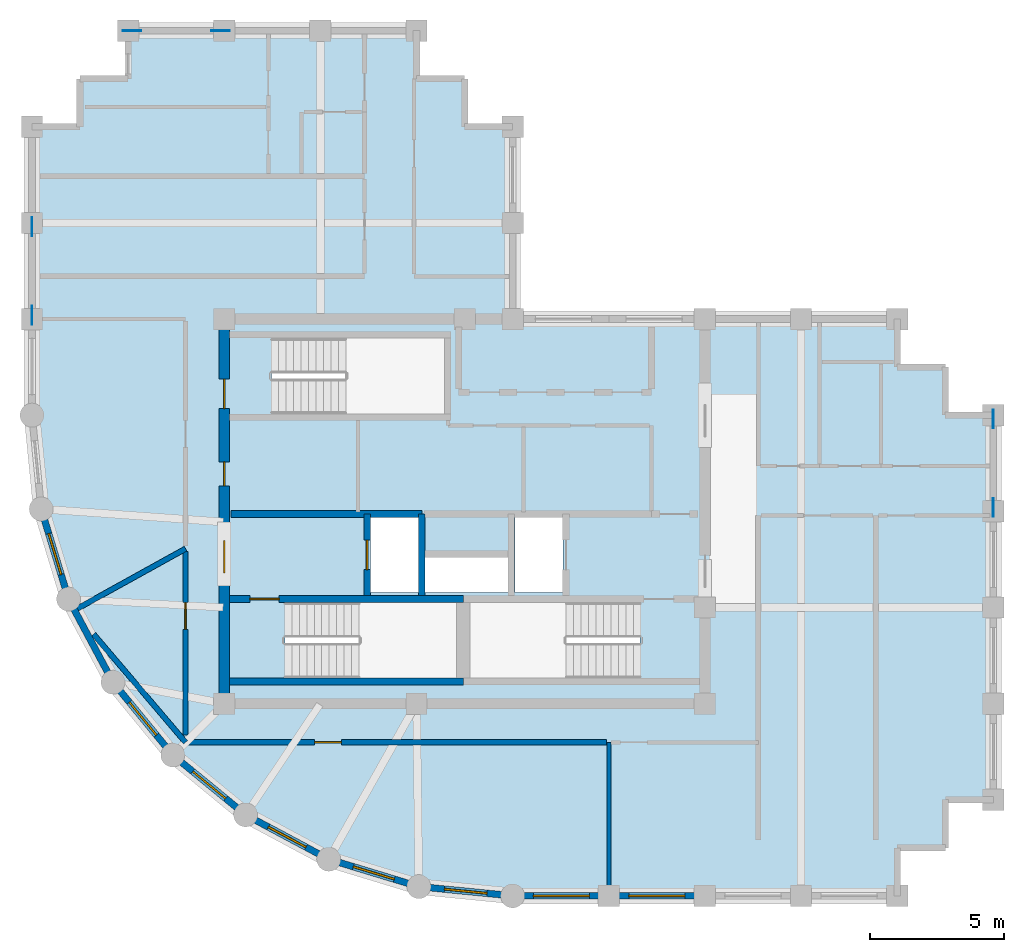
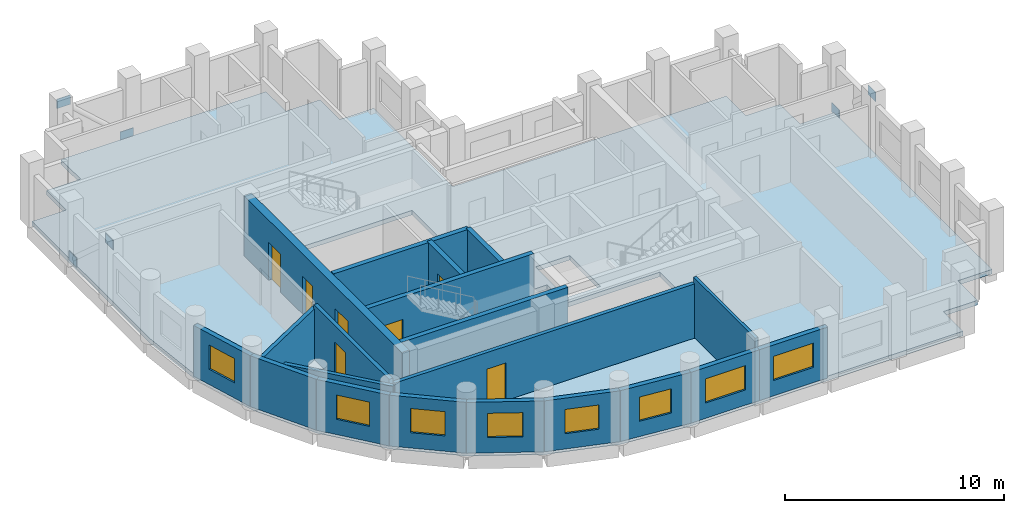
# One storey, part 2 of 6: 20 walls, 8 windows, 7 doors, 6 plates, 1 slab, 15 openings.
"""IFC4 building model written with IfcOpenShell, lengths in metres."""

from ifc_helpers import new_model, si_unit, direction, frame, frame_2d, origin, origin_2d, place, context, subcontext, project, spatial, polyline, rectangle, outline, extrude, material, layer, layer_set, type_object, element, fill, save


model = new_model("IFC4")

# Units and contexts
model_context = context("Model", 3, precision=1e-05, world=origin(), true_north=direction((0.0, 1.0)))
body_context = subcontext(model_context, "Body", "Model", "MODEL_VIEW")
ifc_project = project(units=[si_unit("LENGTHUNIT", "METRE"), si_unit("AREAUNIT", "SQUARE_METRE"), si_unit("VOLUMEUNIT", "CUBIC_METRE"), si_unit("PLANEANGLEUNIT", "RADIAN"), si_unit("MASSUNIT", "GRAM", prefix="KILO")], contexts=[model_context])

# Site, building, storey
site_placement = place(None, origin())
site = spatial("IfcSite", under=ifc_project, at=site_placement, CompositionType="ELEMENT")
building_placement = place(site_placement, origin())
building = spatial("IfcBuilding", under=site, at=building_placement, Name="Solnavia Interchange Tower", CompositionType="ELEMENT")
storey_placement = place(building_placement, frame((0.0, 0.0, 277.39990234375)))
storey = spatial("IfcBuildingStorey", under=building, at=storey_placement, Name="L70", CompositionType="ELEMENT", Elevation=277.39990234375)

# Plates
ifc_material_1 = material(Name="Steel S460", Category="steel")
ifc_layer_1 = layer(ifc_material_1, 0.030029296875)
ifc_layer_set_1 = layer_set([ifc_layer_1], Name="Steel S460")
plate_type = type_object("IfcPlateType", Name="Plate-Gusset-700x520x30", PredefinedType="USERDEFINED", material=ifc_layer_set_1)
for number, where, z_axis, x_axis, name in (
    (1, (7.199951171875, 28.659912109375, -0.079833984375), (0.0, 0.0, 1.0), (0.0, -1.0, 0.0), "PLT-L70-GP01 Perimeter brace gusset plate"),
    (2, (7.199951171875, 25.340087890625, 2.91015625), (0.0, 0.0, 1.0), (0.0, -1.0, 0.0), "PLT-L70-GP02 Perimeter brace gusset plate"),
    (3, (43.199951171875, 21.4599609375, -0.079833984375), (0.0, 0.0, 1.0), (0.0, -1.0, 0.0), "PLT-L70-GP03 Perimeter brace gusset plate"),
    (4, (43.199951171875, 18.139892578125, 2.91015625), (0.0, 0.0, 1.0), (0.0, -1.0, 0.0), "PLT-L70-GP04 Perimeter brace gusset plate"),
    (5, (14.260009765625, 36.0, -0.079833984375), (0.0, 0.0, 1.0), (-1.0, 0.0, 0.0), "PLT-L70-GP05 Perimeter brace gusset plate"),
    (6, (10.93994140625, 36.0, 2.91015625), (0.0, 0.0, 1.0), (-1.0, 0.0, 0.0), "PLT-L70-GP06 Perimeter brace gusset plate"),
):
    element("IfcPlate", number, at=place(storey_placement, frame(where, z_axis=z_axis, x_axis=x_axis)), inside=storey, type_object=plate_type, Name=name, ObjectType="GUSSET PLATE", PredefinedType="USERDEFINED", context=body_context, shape_type="SweptSolid", body=[
        extrude(rectangle(XDim=0.699951171875, YDim=0.030029296875, at=origin_2d()), origin(), (0.0, 0.0, 1.0), 0.52001953125),
    ])

# Slab
ifc_material_2 = material(Name="Concrete C40/50", Category="concrete")
ifc_layer_2 = layer(ifc_material_2, 0.25)
ifc_layer_set_2 = layer_set([ifc_layer_2], Name="Concrete C40/50")
slab_type = type_object("IfcSlabType", Name="Slab-Tower-250", PredefinedType="FLOOR", material=ifc_layer_set_2)
slab_placement = place(storey_placement, frame((0.0, 0.0, -0.25)))
element("IfcSlab", 7, at=slab_placement, inside=storey, type_object=slab_type, Name="SLB-L70-01 Structural floor slab", PredefinedType="FLOOR", context=body_context, shape_type="SweptSolid", body=[
    extrude(outline(polyline([(25.199951171875, 3.60009765625), (39.60009765625, 3.60009765625), (39.60009765625, 5.39990234375), (41.39990234375, 5.39990234375), (41.39990234375, 7.199951171875), (43.199951171875, 7.199951171875), (43.199951171875, 21.60009765625), (41.39990234375, 21.60009765625), (41.39990234375, 23.39990234375), (39.60009765625, 23.39990234375), (39.60009765625, 25.199951171875), (25.199951171875, 25.199951171875), (25.199951171875, 32.39990234375), (23.39990234375, 32.39990234375), (23.39990234375, 34.199951171875), (21.60009765625, 34.199951171875), (21.60009765625, 36.0), (10.800048828125, 36.0), (10.800048828125, 34.199951171875), (9.0, 34.199951171875), (9.0, 32.39990234375), (7.199951171875, 32.39990234375), (7.199951171875, 21.60009765625), (7.5458984375, 18.087890625), (8.570068359375, 14.7119140625), (10.23388671875, 11.60009765625), (12.471923828125, 8.8720703125), (15.199951171875, 6.634033203125), (18.31201171875, 4.969970703125), (21.68798828125, 3.946044921875), (25.199951171875, 3.60009765625)]), holes=[polyline([(16.675048828125, 11.75), (23.10009765625, 11.75), (23.10009765625, 14.590087890625), (16.675048828125, 14.590087890625), (16.675048828125, 11.75)]), polyline([(23.60009765625, 11.75), (29.97509765625, 11.75), (29.97509765625, 14.590087890625), (23.60009765625, 14.590087890625), (23.60009765625, 11.75)]), polyline([(16.175048828125, 21.64990234375), (22.64990234375, 21.64990234375), (22.64990234375, 24.489990234375), (16.175048828125, 24.489990234375), (16.175048828125, 21.64990234375)]), polyline([(19.8798828125, 14.9599609375), (21.679931640625, 14.9599609375), (21.679931640625, 17.780029296875), (19.8798828125, 17.780029296875), (19.8798828125, 14.9599609375)]), polyline([(25.280029296875, 14.9599609375), (27.080078125, 14.9599609375), (27.080078125, 17.780029296875), (25.280029296875, 17.780029296875), (25.280029296875, 14.9599609375)]), polyline([(21.919921875, 14.9599609375), (25.02001953125, 14.9599609375), (25.02001953125, 16.280029296875), (21.919921875, 16.280029296875), (21.919921875, 14.9599609375)])]), origin(), (0.0, 0.0, 1.0), 0.25),
])

# Walls
ifc_material_3 = material(Name="Gypsum Acoustic Twin-Stud & Mineral Wool", Category="gypsum")
ifc_layer_3 = layer(ifc_material_3, 0.199951171875)
ifc_layer_set_3 = layer_set([ifc_layer_3], Name="Gypsum Acoustic Twin-Stud & Mineral Wool")
wall_type_1 = type_object("IfcWallType", Name="Wall-ApartmentParty-200", PredefinedType="PARTITIONING", material=ifc_layer_set_3)
wall_1_placement = place(storey_placement, frame((12.949951171875, 9.35009765625, 0.0), z_axis=(0.0, 0.0, 1.0), x_axis=(-0.648016103597, 0.761626633908, 0.0)))
element("IfcWall", 8, at=wall_1_placement, inside=storey, type_object=wall_type_1, Name="PTW-L70-09 Interior partition wall", PredefinedType="PARTITIONING", context=body_context, shape_type="SweptSolid", body=[
    extrude(rectangle(XDim=5.318603515625, YDim=0.199951171875, at=frame_2d((2.6591796875, 0.0))), origin(), (0.0, 0.0, 1.0), 2.830078125),
])
wall_2_placement = place(storey_placement, frame((12.949951171875, 16.60009765625, 0.0), z_axis=(0.0, 0.0, 1.0), x_axis=(-0.874941893529, -0.484227924586, 0.0)))
element("IfcWall", 9, at=wall_2_placement, inside=storey, type_object=wall_type_1, Name="PTW-L70-10 Interior partition wall", PredefinedType="PARTITIONING", context=body_context, shape_type="SweptSolid", body=[
    extrude(rectangle(XDim=4.70458984375, YDim=0.199951171875, at=frame_2d((2.352294921875, 0.0))), origin(), (0.0, 0.0, 1.0), 2.830078125),
])

# Wall, opening, door
wall_3_placement = place(storey_placement, frame((12.949951171875, 9.627685546875, 0.0), z_axis=(0.0, 0.0, 1.0), x_axis=(0.0, 1.0, 0.0)))
wall_3 = element("IfcWall", 10, at=wall_3_placement, inside=storey, type_object=wall_type_1, Name="PTW-L70-12 Interior partition wall", PredefinedType="PARTITIONING", context=body_context, shape_type="SweptSolid", body=[
    extrude(rectangle(XDim=6.868408203125, YDim=0.199951171875, at=frame_2d((3.43408203125, 0.0))), origin(), (0.0, 0.0, 1.0), 3.030029296875),
])
opening_1_placement = place(wall_3_placement, frame((3.952880859375, 0.0, 0.0)))
opening_1 = element("IfcOpeningElement", 11, at=opening_1_placement, cuts=wall_3, Name="Opening DR-07", PredefinedType="OPENING", context=body_context, shape_type="SweptSolid", body=[
    extrude(rectangle(XDim=1.0, YDim=2.10009765625, at=frame_2d((0.5, 1.050048828125))), frame((0.0, 0.10986328125, 0.0), z_axis=(0.0, -1.0, 0.0), x_axis=(1.0, 0.0, 0.0)), (0.0, 0.0, 1.0), 0.219970703125),
])
ifc_material_4 = material(Name="Timber & Acoustic Glazed Office Door", Category="wood")
door_type_1 = type_object("IfcDoorType", Name="Door-Office-1000x2100", OperationType="SINGLE_SWING_RIGHT", PredefinedType="DOOR", material=ifc_material_4)
door_1_placement = place(opening_1_placement, origin())
door_1 = element("IfcDoor", 12, at=door_1_placement, inside=storey, type_object=door_type_1, Name="DR-L70-04 Interior room door", OperationType="SINGLE_SWING_RIGHT", OverallHeight=2.10009765625, OverallWidth=1.0, PredefinedType="DOOR", context=body_context, shape_type="SweptSolid", body=[
    extrude(rectangle(XDim=1.0, YDim=2.10009765625, at=frame_2d((0.5, 1.050048828125))), frame((0.0, 0.02490234375, 0.0), z_axis=(0.0, -1.0, 0.0), x_axis=(1.0, 0.0, 0.0)), (0.0, 0.0, 1.0), 0.050048828125),
])
fill(opening_1, door_1)

wall_4_placement = place(storey_placement, frame((12.949951171875, 9.35009765625, 0.0), z_axis=(0.0, 0.0, 1.0), x_axis=(1.0, 0.0, 0.0)))
wall_4 = element("IfcWall", 13, at=wall_4_placement, inside=storey, type_object=wall_type_1, Name="PTW-L70-13 Interior partition wall", PredefinedType="PARTITIONING", context=body_context, shape_type="SweptSolid", body=[
    extrude(rectangle(XDim=15.77099609375, YDim=0.199951171875, at=frame_2d((7.885498046875, 0.0))), origin(), (0.0, 0.0, 1.0), 3.02001953125),
])
opening_2_placement = place(wall_4_placement, frame((4.8359375, 0.0, 0.0)))
opening_2 = element("IfcOpeningElement", 14, at=opening_2_placement, cuts=wall_4, Name="Opening DR-07", PredefinedType="OPENING", context=body_context, shape_type="SweptSolid", body=[
    extrude(rectangle(XDim=1.0, YDim=2.10009765625, at=frame_2d((0.5, 1.050048828125))), frame((0.0, 0.10986328125, 0.0), z_axis=(0.0, -1.0, 0.0), x_axis=(1.0, 0.0, 0.0)), (0.0, 0.0, 1.0), 0.219970703125),
])
door_2_placement = place(opening_2_placement, origin())
door_2 = element("IfcDoor", 15, at=door_2_placement, inside=storey, type_object=door_type_1, Name="DR-L70-05 Interior room door", OperationType="SINGLE_SWING_LEFT", OverallHeight=2.10009765625, OverallWidth=1.0, PredefinedType="DOOR", context=body_context, shape_type="SweptSolid", body=[
    extrude(rectangle(XDim=1.0, YDim=2.10009765625, at=frame_2d((0.5, 1.050048828125))), frame((0.0, 0.02490234375, 0.0), z_axis=(0.0, -1.0, 0.0), x_axis=(1.0, 0.0, 0.0)), (0.0, 0.0, 1.0), 0.050048828125),
])
fill(opening_2, door_2)

# Wall, opening, window
ifc_layer_4 = layer(ifc_material_2, 0.25)
ifc_layer_set_4 = layer_set([ifc_layer_4], Name="Concrete C40/50")
wall_type_2 = type_object("IfcWallType", Name="Wall-ExtSpandrel-250", PredefinedType="STANDARD", material=ifc_layer_set_4)
wall_5_placement = place(storey_placement, frame((28.800048828125, 3.60009765625, 0.0), z_axis=(0.0, 0.0, 1.0), x_axis=(-1.0, 0.0, 0.0)))
wall_5 = element("IfcWall", 16, at=wall_5_placement, inside=storey, type_object=wall_type_2, Name="EXW-L70-01 Exterior precast spandrel wall", PredefinedType="STANDARD", context=body_context, shape_type="SweptSolid", body=[
    extrude(rectangle(XDim=3.60009765625, YDim=0.25, at=frame_2d((1.800048828125, 0.0))), origin(), (0.0, 0.0, 1.0), 2.830078125),
])
opening_3_placement = place(wall_5_placement, frame((0.72509765625, 0.0, 0.85009765625)))
opening_3 = element("IfcOpeningElement", 17, at=opening_3_placement, cuts=wall_5, Name="Opening WIN-01", PredefinedType="OPENING", context=body_context, shape_type="SweptSolid", body=[
    extrude(rectangle(XDim=2.10009765625, YDim=1.35009765625, at=frame_2d((1.050048828125, 0.675048828125))), frame((0.0, 0.135009765625, 0.0), z_axis=(0.0, -1.0, 0.0), x_axis=(1.0, 0.0, 0.0)), (0.0, 0.0, 1.0), 0.27001953125),
])
ifc_material_5 = material(Name="Thermal-Break Aluminium & Low-E Glass", Category="aluminium")
window_type_1 = type_object("IfcWindowType", Name="Window-Ribbon-2100x1350", PartitioningType="SINGLE_PANEL", PredefinedType="WINDOW", material=ifc_material_5)
window_1_placement = place(opening_3_placement, origin())
window_1 = element("IfcWindow", 18, at=window_1_placement, inside=storey, type_object=window_type_1, Name="WIN-L70-01 Facade ribbon window", OverallHeight=1.35009765625, OverallWidth=2.10009765625, PartitioningType="SINGLE_PANEL", PredefinedType="WINDOW", context=body_context, shape_type="SweptSolid", body=[
    extrude(rectangle(XDim=2.10009765625, YDim=1.35009765625, at=frame_2d((1.050048828125, 0.675048828125))), frame((0.0, 0.030029296875, 0.0), z_axis=(0.0, -1.0, 0.0), x_axis=(1.0, 0.0, 0.0)), (0.0, 0.0, 1.0), 0.06005859375),
])
fill(opening_3, window_1)

wall_6_placement = place(storey_placement, frame((32.39990234375, 3.60009765625, 0.0), z_axis=(0.0, 0.0, 1.0), x_axis=(-1.0, 0.0, 0.0)))
wall_6 = element("IfcWall", 19, at=wall_6_placement, inside=storey, type_object=wall_type_2, Name="EXW-L70-02 Exterior precast spandrel wall", PredefinedType="STANDARD", context=body_context, shape_type="SweptSolid", body=[
    extrude(rectangle(XDim=3.599853515625, YDim=0.25, at=frame_2d((1.7998046875, 0.0))), origin(), (0.0, 0.0, 1.0), 2.830078125),
])
opening_4_placement = place(wall_6_placement, frame((0.75, 0.0, 0.85009765625)))
opening_4 = element("IfcOpeningElement", 20, at=opening_4_placement, cuts=wall_6, Name="Opening WIN-01", PredefinedType="OPENING", context=body_context, shape_type="SweptSolid", body=[
    extrude(rectangle(XDim=2.10009765625, YDim=1.35009765625, at=frame_2d((1.050048828125, 0.675048828125))), frame((0.0, 0.135009765625, 0.0), z_axis=(0.0, -1.0, 0.0), x_axis=(1.0, 0.0, 0.0)), (0.0, 0.0, 1.0), 0.27001953125),
])
window_2_placement = place(opening_4_placement, origin())
window_2 = element("IfcWindow", 21, at=window_2_placement, inside=storey, type_object=window_type_1, Name="WIN-L70-02 Facade ribbon window", OverallHeight=1.35009765625, OverallWidth=2.10009765625, PartitioningType="SINGLE_PANEL", PredefinedType="WINDOW", context=body_context, shape_type="SweptSolid", body=[
    extrude(rectangle(XDim=2.10009765625, YDim=1.35009765625, at=frame_2d((1.050048828125, 0.675048828125))), frame((0.0, 0.030029296875, 0.0), z_axis=(0.0, -1.0, 0.0), x_axis=(1.0, 0.0, 0.0)), (0.0, 0.0, 1.0), 0.06005859375),
])
fill(opening_4, window_2)

wall_7_placement = place(storey_placement, frame((8.570068359375, 14.7119140625, 0.0), z_axis=(0.0, 0.0, 1.0), x_axis=(-0.290305086481, 0.956934144423, 0.0)))
wall_7 = element("IfcWall", 22, at=wall_7_placement, inside=storey, type_object=wall_type_2, Name="EXW-L70-38 Exterior precast spandrel wall", PredefinedType="STANDARD", context=body_context, shape_type="SweptSolid", body=[
    extrude(rectangle(XDim=3.52783203125, YDim=0.25, at=frame_2d((1.763916015625, 0.0))), origin(), (0.0, 0.0, 1.0), 2.830078125),
])
opening_5_placement = place(wall_7_placement, frame((0.964111328125, 0.0, 0.85009765625)))
opening_5 = element("IfcOpeningElement", 23, at=opening_5_placement, cuts=wall_7, Name="Opening WIN-04", PredefinedType="OPENING", context=body_context, shape_type="SweptSolid", body=[
    extrude(rectangle(XDim=1.60009765625, YDim=1.35009765625, at=frame_2d((0.800048828125, 0.675048828125))), frame((0.0, 0.135009765625, 0.0), z_axis=(0.0, -1.0, 0.0), x_axis=(1.0, 0.0, 0.0)), (0.0, 0.0, 1.0), 0.27001953125),
])
window_type_2 = type_object("IfcWindowType", Name="Window-Drum-1600x1350", PartitioningType="SINGLE_PANEL", PredefinedType="WINDOW", material=ifc_material_5)
window_3_placement = place(opening_5_placement, origin())
window_3 = element("IfcWindow", 24, at=window_3_placement, inside=storey, type_object=window_type_2, Name="WIN-L70-38 Facade ribbon window", OverallHeight=1.35009765625, OverallWidth=1.60009765625, PartitioningType="SINGLE_PANEL", PredefinedType="WINDOW", context=body_context, shape_type="SweptSolid", body=[
    extrude(rectangle(XDim=1.60009765625, YDim=1.35009765625, at=frame_2d((0.800048828125, 0.675048828125))), frame((0.0, 0.030029296875, 0.0), z_axis=(0.0, -1.0, 0.0), x_axis=(1.0, 0.0, 0.0)), (0.0, 0.0, 1.0), 0.06005859375),
])
fill(opening_5, window_3)

# Wall
wall_8_placement = place(storey_placement, frame((10.23388671875, 11.60009765625, 0.0), z_axis=(0.0, 0.0, 1.0), x_axis=(-0.47151087309, 0.881860247748, 0.0)))
element("IfcWall", 25, at=wall_8_placement, inside=storey, type_object=wall_type_2, Name="EXW-L70-39 Exterior precast spandrel wall", PredefinedType="STANDARD", context=body_context, shape_type="SweptSolid", body=[
    extrude(rectangle(XDim=3.52880859375, YDim=0.25, at=frame_2d((1.764404296875, 0.0))), origin(), (0.0, 0.0, 1.0), 2.830078125),
])

# Wall, opening, window
wall_9_placement = place(storey_placement, frame((12.471923828125, 8.8720703125, 0.0), z_axis=(0.0, 0.0, 1.0), x_axis=(-0.634258295121, 0.773121216285, 0.0)))
wall_9 = element("IfcWall", 26, at=wall_9_placement, inside=storey, type_object=wall_type_2, Name="EXW-L70-40 Exterior precast spandrel wall", PredefinedType="STANDARD", context=body_context, shape_type="SweptSolid", body=[
    extrude(rectangle(XDim=3.528564453125, YDim=0.25, at=frame_2d((1.76416015625, 0.0))), origin(), (0.0, 0.0, 1.0), 2.830078125),
])
opening_6_placement = place(wall_9_placement, frame((0.964111328125, 0.0, 0.85009765625)))
opening_6 = element("IfcOpeningElement", 27, at=opening_6_placement, cuts=wall_9, Name="Opening WIN-04", PredefinedType="OPENING", context=body_context, shape_type="SweptSolid", body=[
    extrude(rectangle(XDim=1.60009765625, YDim=1.35009765625, at=frame_2d((0.800048828125, 0.675048828125))), frame((0.0, 0.135009765625, 0.0), z_axis=(0.0, -1.0, 0.0), x_axis=(1.0, 0.0, 0.0)), (0.0, 0.0, 1.0), 0.27001953125),
])
window_4_placement = place(opening_6_placement, origin())
window_4 = element("IfcWindow", 28, at=window_4_placement, inside=storey, type_object=window_type_2, Name="WIN-L70-40 Facade ribbon window", OverallHeight=1.35009765625, OverallWidth=1.60009765625, PartitioningType="SINGLE_PANEL", PredefinedType="WINDOW", context=body_context, shape_type="SweptSolid", body=[
    extrude(rectangle(XDim=1.60009765625, YDim=1.35009765625, at=frame_2d((0.800048828125, 0.675048828125))), frame((0.0, 0.030029296875, 0.0), z_axis=(0.0, -1.0, 0.0), x_axis=(1.0, 0.0, 0.0)), (0.0, 0.0, 1.0), 0.06005859375),
])
fill(opening_6, window_4)

wall_10_placement = place(storey_placement, frame((15.199951171875, 6.634033203125, 0.0), z_axis=(0.0, 0.0, 1.0), x_axis=(-0.773121216285, 0.634258295121, 0.0)))
wall_10 = element("IfcWall", 29, at=wall_10_placement, inside=storey, type_object=wall_type_2, Name="EXW-L70-41 Exterior precast spandrel wall", PredefinedType="STANDARD", context=body_context, shape_type="SweptSolid", body=[
    extrude(rectangle(XDim=3.528564453125, YDim=0.25, at=frame_2d((1.76416015625, 0.0))), origin(), (0.0, 0.0, 1.0), 2.830078125),
])
opening_7_placement = place(wall_10_placement, frame((0.964111328125, 0.0, 0.85009765625)))
opening_7 = element("IfcOpeningElement", 30, at=opening_7_placement, cuts=wall_10, Name="Opening WIN-04", PredefinedType="OPENING", context=body_context, shape_type="SweptSolid", body=[
    extrude(rectangle(XDim=1.60009765625, YDim=1.35009765625, at=frame_2d((0.800048828125, 0.675048828125))), frame((0.0, 0.135009765625, 0.0), z_axis=(0.0, -1.0, 0.0), x_axis=(1.0, 0.0, 0.0)), (0.0, 0.0, 1.0), 0.27001953125),
])
window_5_placement = place(opening_7_placement, origin())
window_5 = element("IfcWindow", 31, at=window_5_placement, inside=storey, type_object=window_type_2, Name="WIN-L70-41 Facade ribbon window", OverallHeight=1.35009765625, OverallWidth=1.60009765625, PartitioningType="SINGLE_PANEL", PredefinedType="WINDOW", context=body_context, shape_type="SweptSolid", body=[
    extrude(rectangle(XDim=1.60009765625, YDim=1.35009765625, at=frame_2d((0.800048828125, 0.675048828125))), frame((0.0, 0.030029296875, 0.0), z_axis=(0.0, -1.0, 0.0), x_axis=(1.0, 0.0, 0.0)), (0.0, 0.0, 1.0), 0.06005859375),
])
fill(opening_7, window_5)

wall_11_placement = place(storey_placement, frame((18.31201171875, 4.969970703125, 0.0), z_axis=(0.0, 0.0, 1.0), x_axis=(-0.881846862014, 0.471535907389, 0.0)))
wall_11 = element("IfcWall", 32, at=wall_11_placement, inside=storey, type_object=wall_type_2, Name="EXW-L70-42 Exterior precast spandrel wall", PredefinedType="STANDARD", context=body_context, shape_type="SweptSolid", body=[
    extrude(rectangle(XDim=3.529052734375, YDim=0.25, at=frame_2d((1.7646484375, 0.0))), origin(), (0.0, 0.0, 1.0), 2.830078125),
])
opening_8_placement = place(wall_11_placement, frame((0.964111328125, 0.0, 0.85009765625)))
opening_8 = element("IfcOpeningElement", 33, at=opening_8_placement, cuts=wall_11, Name="Opening WIN-04", PredefinedType="OPENING", context=body_context, shape_type="SweptSolid", body=[
    extrude(rectangle(XDim=1.60009765625, YDim=1.35009765625, at=frame_2d((0.800048828125, 0.675048828125))), frame((0.0, 0.135009765625, 0.0), z_axis=(0.0, -1.0, 0.0), x_axis=(1.0, 0.0, 0.0)), (0.0, 0.0, 1.0), 0.27001953125),
])
window_6_placement = place(opening_8_placement, origin())
window_6 = element("IfcWindow", 34, at=window_6_placement, inside=storey, type_object=window_type_2, Name="WIN-L70-42 Facade ribbon window", OverallHeight=1.35009765625, OverallWidth=1.60009765625, PartitioningType="SINGLE_PANEL", PredefinedType="WINDOW", context=body_context, shape_type="SweptSolid", body=[
    extrude(rectangle(XDim=1.60009765625, YDim=1.35009765625, at=frame_2d((0.800048828125, 0.675048828125))), frame((0.0, 0.030029296875, 0.0), z_axis=(0.0, -1.0, 0.0), x_axis=(1.0, 0.0, 0.0)), (0.0, 0.0, 1.0), 0.06005859375),
])
fill(opening_8, window_6)

wall_12_placement = place(storey_placement, frame((21.68798828125, 3.946044921875, 0.0), z_axis=(0.0, 0.0, 1.0), x_axis=(-0.956953367403, 0.290241714123, 0.0)))
wall_12 = element("IfcWall", 35, at=wall_12_placement, inside=storey, type_object=wall_type_2, Name="EXW-L70-43 Exterior precast spandrel wall", PredefinedType="STANDARD", context=body_context, shape_type="SweptSolid", body=[
    extrude(rectangle(XDim=3.52783203125, YDim=0.25, at=frame_2d((1.763916015625, 0.0))), origin(), (0.0, 0.0, 1.0), 2.830078125),
])
opening_9_placement = place(wall_12_placement, frame((0.964111328125, 0.0, 0.85009765625)))
opening_9 = element("IfcOpeningElement", 36, at=opening_9_placement, cuts=wall_12, Name="Opening WIN-04", PredefinedType="OPENING", context=body_context, shape_type="SweptSolid", body=[
    extrude(rectangle(XDim=1.60009765625, YDim=1.35009765625, at=frame_2d((0.800048828125, 0.675048828125))), frame((0.0, 0.135009765625, 0.0), z_axis=(0.0, -1.0, 0.0), x_axis=(1.0, 0.0, 0.0)), (0.0, 0.0, 1.0), 0.27001953125),
])
window_7_placement = place(opening_9_placement, origin())
window_7 = element("IfcWindow", 37, at=window_7_placement, inside=storey, type_object=window_type_2, Name="WIN-L70-43 Facade ribbon window", OverallHeight=1.35009765625, OverallWidth=1.60009765625, PartitioningType="SINGLE_PANEL", PredefinedType="WINDOW", context=body_context, shape_type="SweptSolid", body=[
    extrude(rectangle(XDim=1.60009765625, YDim=1.35009765625, at=frame_2d((0.800048828125, 0.675048828125))), frame((0.0, 0.030029296875, 0.0), z_axis=(0.0, -1.0, 0.0), x_axis=(1.0, 0.0, 0.0)), (0.0, 0.0, 1.0), 0.06005859375),
])
fill(opening_9, window_7)

wall_13_placement = place(storey_placement, frame((25.199951171875, 3.60009765625, 0.0), z_axis=(0.0, 0.0, 1.0), x_axis=(-0.995183369056, 0.098030923459, 0.0)))
wall_13 = element("IfcWall", 38, at=wall_13_placement, inside=storey, type_object=wall_type_2, Name="EXW-L70-44 Exterior precast spandrel wall", PredefinedType="STANDARD", context=body_context, shape_type="SweptSolid", body=[
    extrude(rectangle(XDim=3.529052734375, YDim=0.25, at=frame_2d((1.7646484375, 0.0))), origin(), (0.0, 0.0, 1.0), 2.830078125),
])
opening_10_placement = place(wall_13_placement, frame((0.965087890625, 0.0, 0.85009765625)))
opening_10 = element("IfcOpeningElement", 39, at=opening_10_placement, cuts=wall_13, Name="Opening WIN-04", PredefinedType="OPENING", context=body_context, shape_type="SweptSolid", body=[
    extrude(rectangle(XDim=1.60009765625, YDim=1.35009765625, at=frame_2d((0.800048828125, 0.675048828125))), frame((0.0, 0.135009765625, 0.0), z_axis=(0.0, -1.0, 0.0), x_axis=(1.0, 0.0, 0.0)), (0.0, 0.0, 1.0), 0.27001953125),
])
window_8_placement = place(opening_10_placement, origin())
window_8 = element("IfcWindow", 40, at=window_8_placement, inside=storey, type_object=window_type_2, Name="WIN-L70-44 Facade ribbon window", OverallHeight=1.35009765625, OverallWidth=1.60009765625, PartitioningType="SINGLE_PANEL", PredefinedType="WINDOW", context=body_context, shape_type="SweptSolid", body=[
    extrude(rectangle(XDim=1.60009765625, YDim=1.35009765625, at=frame_2d((0.800048828125, 0.675048828125))), frame((0.0, 0.030029296875, 0.0), z_axis=(0.0, -1.0, 0.0), x_axis=(1.0, 0.0, 0.0)), (0.0, 0.0, 1.0), 0.06005859375),
])
fill(opening_10, window_8)

# Walls
ifc_material_6 = material(Name="Gypsum Plasterboard & Steel Stud", Category="steel")
ifc_layer_5 = layer(ifc_material_6, 0.14990234375)
ifc_layer_set_5 = layer_set([ifc_layer_5], Name="Gypsum Plasterboard & Steel Stud")
wall_type_3 = type_object("IfcWallType", Name="Wall-Partition-150", PredefinedType="PARTITIONING", material=ifc_layer_set_5)
wall_14_placement = place(storey_placement, frame((28.800048828125, 9.35009765625, 0.0), z_axis=(0.0, 0.0, 1.0), x_axis=(0.0, -1.0, 0.0)))
element("IfcWall", 41, at=wall_14_placement, inside=storey, type_object=wall_type_3, Name="PTW-L70-08 Interior partition wall", PredefinedType="PARTITIONING", context=body_context, shape_type="SweptSolid", body=[
    extrude(rectangle(XDim=5.62109375, YDim=0.14990234375, at=frame_2d((2.810546875, 0.0))), origin(), (0.0, 0.0, 1.0), 3.335205078125),
])
ifc_layer_6 = layer(ifc_material_2, 0.25)
ifc_layer_set_6 = layer_set([ifc_layer_6], Name="Concrete C40/50")
wall_type_4 = type_object("IfcWallType", Name="Wall-ShaftCore-250", PredefinedType="SHEAR", material=ifc_layer_set_6)
wall_15_placement = place(storey_placement, frame((14.60009765625, 11.625, 0.0), z_axis=(0.0, 0.0, 1.0), x_axis=(1.0, 0.0, 0.0)))
element("IfcWall", 42, at=wall_15_placement, inside=storey, type_object=wall_type_4, Name="SHW-L70-ST1S Core shear wall", PredefinedType="SHEAR", context=body_context, shape_type="SweptSolid", body=[
    extrude(rectangle(XDim=8.75, YDim=0.25, at=frame_2d((4.375, 0.0))), origin(), (0.0, 0.0, 1.0), 3.35009765625),
])

# Wall, opening, door
wall_16_placement = place(storey_placement, frame((14.60009765625, 14.715087890625, 0.0), z_axis=(0.0, 0.0, 1.0), x_axis=(1.0, 0.0, 0.0)))
wall_16 = element("IfcWall", 43, at=wall_16_placement, inside=storey, type_object=wall_type_4, Name="SHW-L70-ST1N Core shear wall", PredefinedType="SHEAR", context=body_context, shape_type="SweptSolid", body=[
    extrude(rectangle(XDim=8.75, YDim=0.25, at=frame_2d((4.375, 0.0))), origin(), (0.0, 0.0, 1.0), 3.35009765625),
])
opening_11_placement = place(wall_16_placement, frame((0.7548828125, 0.0, 0.0)))
opening_11 = element("IfcOpeningElement", 44, at=opening_11_placement, cuts=wall_16, Name="Opening DR-01", PredefinedType="OPENING", context=body_context, shape_type="SweptSolid", body=[
    extrude(rectangle(XDim=1.10009765625, YDim=2.10009765625, at=frame_2d((0.550048828125, 1.050048828125))), frame((0.0, 0.135009765625, 0.0), z_axis=(0.0, -1.0, 0.0), x_axis=(1.0, 0.0, 0.0)), (0.0, 0.0, 1.0), 0.27001953125),
])
ifc_material_7 = material(Name="Steel Fire-Rated Leaf & Frame", Category="steel")
door_type_2 = type_object("IfcDoorType", Name="Door-StairFire-1100x2100", OperationType="SINGLE_SWING_LEFT", PredefinedType="DOOR", material=ifc_material_7)
door_3_placement = place(opening_11_placement, origin())
door_3 = element("IfcDoor", 45, at=door_3_placement, inside=storey, type_object=door_type_2, Name="DR-L70-ST1 Core fire door", OperationType="SINGLE_SWING_LEFT", OverallHeight=2.10009765625, OverallWidth=1.10009765625, PredefinedType="DOOR", context=body_context, shape_type="SweptSolid", body=[
    extrude(rectangle(XDim=1.10009765625, YDim=2.10009765625, at=frame_2d((0.550048828125, 1.050048828125))), frame((0.0, 0.02490234375, 0.0), z_axis=(0.0, -1.0, 0.0), x_axis=(1.0, 0.0, 0.0)), (0.0, 0.0, 1.0), 0.050048828125),
])
fill(opening_11, door_3)

# Wall
ifc_layer_7 = layer(ifc_material_2, 0.25)
ifc_layer_set_7 = layer_set([ifc_layer_7], Name="Concrete C40/50")
wall_type_5 = type_object("IfcWallType", Name="Wall-ShaftPart-250", PredefinedType="PARTITIONING", material=ifc_layer_set_7)
wall_17_placement = place(storey_placement, frame((14.64990234375, 17.89990234375, 0.0), z_axis=(0.0, 0.0, 1.0), x_axis=(1.0, 0.0, 0.0)))
element("IfcWall", 46, at=wall_17_placement, inside=storey, type_object=wall_type_5, Name="SHW-L70-FFLW-N Core shaft wall", PredefinedType="PARTITIONING", context=body_context, shape_type="SweptSolid", body=[
    extrude(rectangle(XDim=7.150146484375, YDim=0.25, at=frame_2d((3.5751953125, 0.0))), origin(), (0.0, 0.0, 1.0), 3.335205078125),
])

# Wall, opening, door
wall_18_placement = place(storey_placement, frame((19.75, 14.840087890625, 0.0), z_axis=(0.0, 0.0, 1.0), x_axis=(0.0, 1.0, 0.0)))
wall_18 = element("IfcWall", 47, at=wall_18_placement, inside=storey, type_object=wall_type_5, Name="SHW-L70-FFL1-W Core shaft wall", PredefinedType="PARTITIONING", context=body_context, shape_type="SweptSolid", body=[
    extrude(rectangle(XDim=3.059814453125, YDim=0.25, at=frame_2d((1.52978515625, 0.0))), origin(), (0.0, 0.0, 1.0), 3.335205078125),
])
opening_12_placement = place(wall_18_placement, frame((0.97998046875, 0.0, 0.0)))
opening_12 = element("IfcOpeningElement", 48, at=opening_12_placement, cuts=wall_18, Name="Opening LD-01", PredefinedType="OPENING", context=body_context, shape_type="SweptSolid", body=[
    extrude(rectangle(XDim=1.10009765625, YDim=2.10009765625, at=frame_2d((0.550048828125, 1.050048828125))), frame((0.0, 0.135009765625, 0.0), z_axis=(0.0, -1.0, 0.0), x_axis=(1.0, 0.0, 0.0)), (0.0, 0.0, 1.0), 0.27001953125),
])
ifc_material_8 = material(Name="Brushed Stainless Steel Sliding Door", Category="steel")
door_type_3 = type_object("IfcDoorType", Name="Door-LiftLanding-1100x2100", OperationType="SLIDING_TO_LEFT", PredefinedType="DOOR", material=ifc_material_8)
door_4_placement = place(opening_12_placement, origin())
door_4 = element("IfcDoor", 49, at=door_4_placement, inside=storey, type_object=door_type_3, Name="LD-L70-FFL1 Lift landing sliding door", OperationType="SLIDING_TO_LEFT", OverallHeight=2.10009765625, OverallWidth=1.10009765625, PredefinedType="DOOR", context=body_context, shape_type="SweptSolid", body=[
    extrude(rectangle(XDim=1.10009765625, YDim=2.10009765625, at=frame_2d((0.550048828125, 1.050048828125))), frame((0.0, 0.02490234375, 0.0), z_axis=(0.0, -1.0, 0.0), x_axis=(1.0, 0.0, 0.0)), (0.0, 0.0, 1.0), 0.050048828125),
])
fill(opening_12, door_4)

# Wall
wall_19_placement = place(storey_placement, frame((21.800048828125, 14.840087890625, 0.0), z_axis=(0.0, 0.0, 1.0), x_axis=(0.0, 1.0, 0.0)))
element("IfcWall", 50, at=wall_19_placement, inside=storey, type_object=wall_type_5, Name="SHW-L70-FFL1-E Core shaft wall", PredefinedType="PARTITIONING", context=body_context, shape_type="SweptSolid", body=[
    extrude(rectangle(XDim=3.059814453125, YDim=0.25, at=frame_2d((1.52978515625, 0.0))), origin(), (0.0, 0.0, 1.0), 3.335205078125),
])

# Wall, openings, doors
ifc_material_9 = material(Name="Concrete C50/60", Category="concrete")
ifc_layer_8 = layer(ifc_material_9, 0.39990234375)
ifc_layer_set_8 = layer_set([ifc_layer_8], Name="Concrete C50/60")
wall_type_6 = type_object("IfcWallType", Name="Wall-ShearCore-400", PredefinedType="SHEAR", material=ifc_layer_set_8)
wall_20_placement = place(storey_placement, frame((14.39990234375, 10.800048828125, 0.0), z_axis=(0.0, 0.0, 1.0), x_axis=(0.0, 1.0, 0.0)))
wall_20 = element("IfcWall", 51, at=wall_20_placement, inside=storey, type_object=wall_type_6, Name="CRW-L70-W Core shear wall", PredefinedType="SHEAR", context=body_context, shape_type="SweptSolid", body=[
    extrude(rectangle(XDim=14.39990234375, YDim=0.39990234375, at=frame_2d((7.199951171875, 0.0))), origin(), (0.0, 0.0, 1.0), 3.35009765625),
])
opening_13_placement = place(wall_20_placement, frame((11.050048828125, 0.0, 0.0)))
opening_13 = element("IfcOpeningElement", 52, at=opening_13_placement, cuts=wall_20, Name="Opening DR-01", PredefinedType="OPENING", context=body_context, shape_type="SweptSolid", body=[
    extrude(rectangle(XDim=1.10009765625, YDim=2.10009765625, at=frame_2d((0.550048828125, 1.050048828125))), frame((0.0, 0.2099609375, 0.0), z_axis=(0.0, -1.0, 0.0), x_axis=(1.0, 0.0, 0.0)), (0.0, 0.0, 1.0), 0.419921875),
])
opening_14_placement = place(wall_20_placement, frame((4.89990234375, 0.0, 0.0)))
opening_14 = element("IfcOpeningElement", 53, at=opening_14_placement, cuts=wall_20, Name="Opening DR-02", PredefinedType="OPENING", context=body_context, shape_type="SweptSolid", body=[
    extrude(rectangle(XDim=1.199951171875, YDim=2.10009765625, at=frame_2d((0.60009765625, 1.050048828125))), frame((0.0, 0.2099609375, 0.0), z_axis=(0.0, -1.0, 0.0), x_axis=(1.0, 0.0, 0.0)), (0.0, 0.0, 1.0), 0.419921875),
])
opening_15_placement = place(wall_20_placement, frame((8.14990234375, 0.0, 0.0)))
opening_15 = element("IfcOpeningElement", 54, at=opening_15_placement, cuts=wall_20, Name="Opening DR-09", PredefinedType="OPENING", context=body_context, shape_type="SweptSolid", body=[
    extrude(rectangle(XDim=0.89990234375, YDim=2.10009765625, at=frame_2d((0.449951171875, 1.050048828125))), frame((0.0, 0.2099609375, 0.0), z_axis=(0.0, -1.0, 0.0), x_axis=(1.0, 0.0, 0.0)), (0.0, 0.0, 1.0), 0.419921875),
])
ifc_material_10 = material(Name="Engineered Oak Veneer Door", Category="wood")
door_type_4 = type_object("IfcDoorType", Name="Door-Internal-900x2100", OperationType="SINGLE_SWING_LEFT", PredefinedType="DOOR", material=ifc_material_10)
door_5_placement = place(opening_15_placement, origin())
door_5 = element("IfcDoor", 55, at=door_5_placement, inside=storey, type_object=door_type_4, Name="DR-L70-CS1 Core fire door", OperationType="SINGLE_SWING_RIGHT", OverallHeight=2.10009765625, OverallWidth=0.89990234375, PredefinedType="DOOR", context=body_context, shape_type="SweptSolid", body=[
    extrude(rectangle(XDim=0.89990234375, YDim=2.10009765625, at=frame_2d((0.449951171875, 1.050048828125))), frame((0.0, 0.02490234375, 0.0), z_axis=(0.0, -1.0, 0.0), x_axis=(1.0, 0.0, 0.0)), (0.0, 0.0, 1.0), 0.050048828125),
])
fill(opening_15, door_5)
ifc_material_11 = material(Name="Steel Fire-Rated Vision-Panel Door", Category="steel")
door_type_5 = type_object("IfcDoorType", Name="Door-LobbyFire-1200x2100", OperationType="SINGLE_SWING_RIGHT", PredefinedType="DOOR", material=ifc_material_11)
door_6_placement = place(opening_14_placement, origin())
door_6 = element("IfcDoor", 56, at=door_6_placement, inside=storey, type_object=door_type_5, Name="DR-L70-FFL1W Core fire door", OperationType="SINGLE_SWING_RIGHT", OverallHeight=2.10009765625, OverallWidth=1.199951171875, PredefinedType="DOOR", context=body_context, shape_type="SweptSolid", body=[
    extrude(rectangle(XDim=1.199951171875, YDim=2.10009765625, at=frame_2d((0.60009765625, 1.050048828125))), frame((0.0, 0.02490234375, 0.0), z_axis=(0.0, -1.0, 0.0), x_axis=(1.0, 0.0, 0.0)), (0.0, 0.0, 1.0), 0.050048828125),
])
fill(opening_14, door_6)
door_7_placement = place(opening_13_placement, origin())
door_7 = element("IfcDoor", 57, at=door_7_placement, inside=storey, type_object=door_type_2, Name="DR-L70-ST3 Core fire door", OperationType="SINGLE_SWING_RIGHT", OverallHeight=2.10009765625, OverallWidth=1.10009765625, PredefinedType="DOOR", context=body_context, shape_type="SweptSolid", body=[
    extrude(rectangle(XDim=1.10009765625, YDim=2.10009765625, at=frame_2d((0.550048828125, 1.050048828125))), frame((0.0, 0.02490234375, 0.0), z_axis=(0.0, -1.0, 0.0), x_axis=(1.0, 0.0, 0.0)), (0.0, 0.0, 1.0), 0.050048828125),
])
fill(opening_13, door_7)

save(model, "model.ifc")
